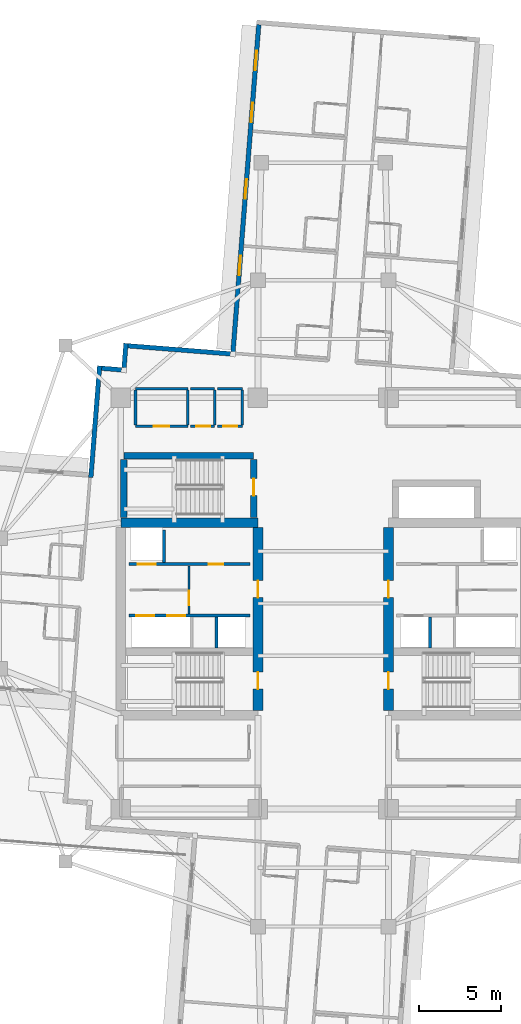
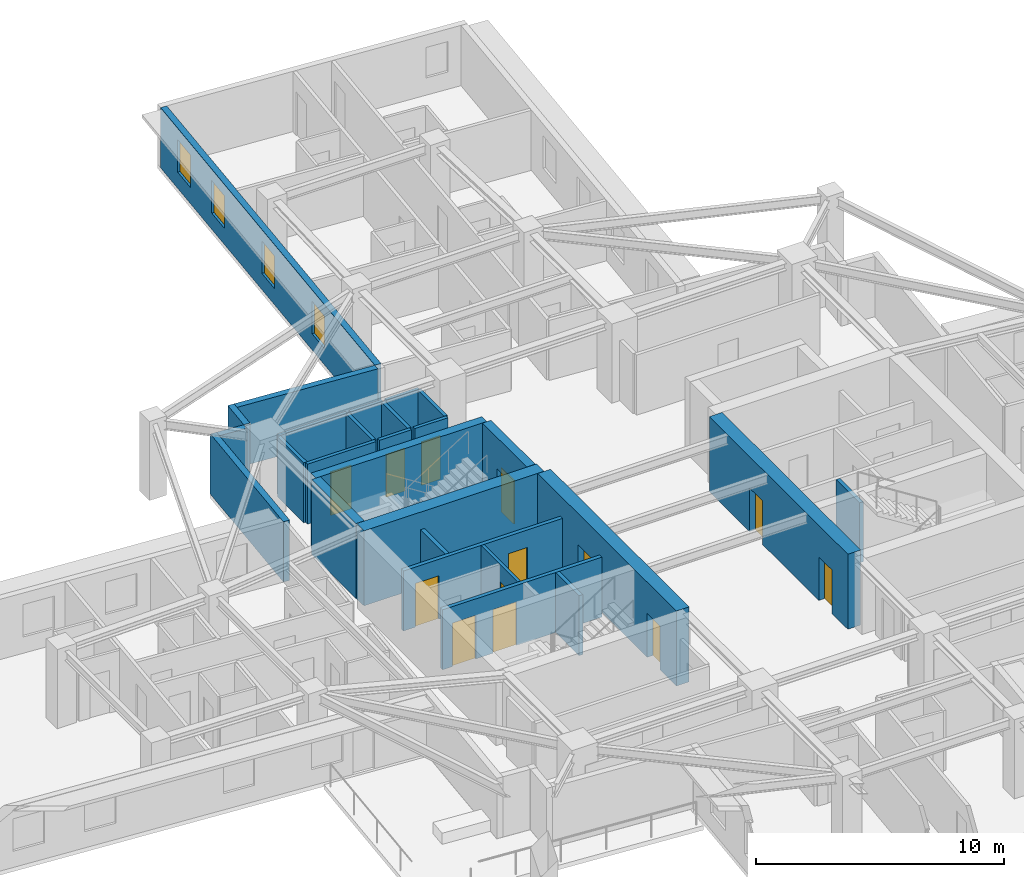
# One storey, part 6 of 14: 27 walls, 13 doors, 4 windows, 17 openings.
"""IFC4 building model written with IfcOpenShell, lengths in metres."""

from ifc_helpers import new_model, si_unit, direction, frame, frame_2d, origin, place, context, subcontext, project, spatial, rectangle, extrude, material, layer, layer_set, type_object, element, fill, save


model = new_model("IFC4")

# Units and contexts
model_context = context("Model", 3, precision=1e-05, world=origin(), true_north=direction((0.0, 1.0)))
body_context = subcontext(model_context, "Body", "Model", "MODEL_VIEW")
ifc_project = project(units=[si_unit("LENGTHUNIT", "METRE"), si_unit("AREAUNIT", "SQUARE_METRE"), si_unit("VOLUMEUNIT", "CUBIC_METRE"), si_unit("PLANEANGLEUNIT", "RADIAN"), si_unit("MASSUNIT", "GRAM", prefix="KILO")], contexts=[model_context])

# Site, building, storey
site_placement = place(None, origin())
site = spatial("IfcSite", under=ifc_project, at=site_placement, CompositionType="ELEMENT")
building_placement = place(site_placement, origin())
building = spatial("IfcBuilding", under=site, at=building_placement, Name="Qingluan Cross Belvedere", CompositionType="ELEMENT")
storey_placement = place(building_placement, frame((0.0, 0.0, 164.39990234375)))
storey = spatial("IfcBuildingStorey", under=building, at=storey_placement, Name="L41", CompositionType="ELEMENT", Elevation=164.39990234375)

# Walls
ifc_material_1 = material(Name="Concrete C50", Category="concrete")
ifc_layer_1 = layer(ifc_material_1, 0.449951171875, Name="CoreShearWall_450")
ifc_layer_set_1 = layer_set([ifc_layer_1], Name="Concrete C50")
wall_type_1 = type_object("IfcWallType", Name="CoreShearWall_450", PredefinedType="SHEAR", material=ifc_layer_set_1)
wall_1_placement = place(storey_placement, frame((-12.219970703125, 9.0400390625, 0.0), z_axis=(0.0, 0.0, 1.0), x_axis=(1.0, 0.0, 0.0)))
element("IfcWall", 1, at=wall_1_placement, inside=storey, type_object=wall_type_1, Name="Stair ST3 structural wall N L41", PredefinedType="SHEAR", context=body_context, shape_type="SweptSolid", body=[
    extrude(rectangle(XDim=7.9599609375, YDim=0.39990234375, at=frame_2d((3.97998046875, 0.0))), origin(), (0.0, 0.0, 1.0), 3.7001953125),
])
wall_2_placement = place(storey_placement, frame((-12.219970703125, 5.2548828125, 0.0), z_axis=(0.0, 0.0, 1.0), x_axis=(0.0, 1.0, 0.0)))
element("IfcWall", 2, at=wall_2_placement, inside=storey, type_object=wall_type_1, Name="Stair ST3 structural wall W L41", PredefinedType="SHEAR", context=body_context, shape_type="SweptSolid", body=[
    extrude(rectangle(XDim=3.580078125, YDim=0.39990234375, at=frame_2d((1.7900390625, 0.0))), origin(), (0.0, 0.0, 1.0), 3.7001953125),
])

# Wall, opening, door
wall_3_placement = place(storey_placement, frame((-4.260009765625, 5.2548828125, 0.0), z_axis=(0.0, 0.0, 1.0), x_axis=(0.0, 1.0, 0.0)))
wall_3 = element("IfcWall", 3, at=wall_3_placement, inside=storey, type_object=wall_type_1, Name="Stair ST3 structural wall E L41", PredefinedType="SHEAR", context=body_context, shape_type="SweptSolid", body=[
    extrude(rectangle(XDim=3.580078125, YDim=0.39990234375, at=frame_2d((1.7900390625, 0.0))), origin(), (0.0, 0.0, 1.0), 3.7001953125),
])
opening_1_placement = place(wall_3_placement, frame((1.344970703125, 0.0, 0.0)))
opening_1 = element("IfcOpeningElement", 4, at=opening_1_placement, cuts=wall_3, Name="Opening FD-B11", PredefinedType="OPENING", context=body_context, shape_type="SweptSolid", body=[
    extrude(rectangle(XDim=1.050048828125, YDim=2.14990234375, at=frame_2d((0.52490234375, 1.074951171875))), frame((0.0, 0.2099609375, 0.0), z_axis=(0.0, -1.0, 0.0), x_axis=(1.0, 0.0, 0.0)), (0.0, 0.0, 1.0), 0.419921875),
])
ifc_material_2 = material(Name="Steel Class B smoke-seal fire door", Category="steel")
door_type_1 = type_object("IfcDoorType", Name="StairLobbyFireDoor_FDB", OperationType="NOTDEFINED", PredefinedType="DOOR", material=ifc_material_2)
door_1_placement = place(opening_1_placement, origin())
door_1 = element("IfcDoor", 5, at=door_1_placement, inside=storey, type_object=door_type_1, Name="Smoke-proof stair ST3 fire door L41", OperationType="SINGLE_SWING_LEFT", OverallHeight=2.14990234375, OverallWidth=1.050048828125, PredefinedType="DOOR", context=body_context, shape_type="SweptSolid", body=[
    extrude(rectangle(XDim=1.050048828125, YDim=2.14990234375, at=frame_2d((0.52490234375, 1.074951171875))), frame((0.0, 0.02490234375, 0.0), z_axis=(0.0, -1.0, 0.0), x_axis=(1.0, 0.0, 0.0)), (0.0, 0.0, 1.0), 0.050048828125),
])
fill(opening_1, door_1)

# Wall
ifc_material_3 = material(Name="Concrete C60", Category="concrete")
ifc_layer_2 = layer(ifc_material_3, 0.60009765625, Name="CoreShearWall_600")
ifc_layer_set_2 = layer_set([ifc_layer_2], Name="Concrete C60")
wall_type_2 = type_object("IfcWallType", Name="CoreShearWall_600", PredefinedType="SHEAR", material=ifc_layer_set_2)
wall_4_placement = place(storey_placement, frame((-12.39990234375, 4.949951171875, 0.0), z_axis=(0.0, 0.0, 1.0), x_axis=(1.0, 0.0, 0.0)))
element("IfcWall", 6, at=wall_4_placement, inside=storey, type_object=wall_type_2, Name="Split core W shear wall L41-N", PredefinedType="SHEAR", context=body_context, shape_type="SweptSolid", body=[
    extrude(rectangle(XDim=8.39990234375, YDim=0.60009765625, at=frame_2d((4.199951171875, 0.0))), origin(), (0.0, 0.0, 1.0), 3.7001953125),
])

# Wall, openings, doors
wall_5_placement = place(storey_placement, frame((-4.0, -6.544921875, 0.0), z_axis=(0.0, 0.0, 1.0), x_axis=(0.0, 1.0, 0.0)))
wall_5 = element("IfcWall", 7, at=wall_5_placement, inside=storey, type_object=wall_type_2, Name="Split core W shear wall L41-E", PredefinedType="SHEAR", context=body_context, shape_type="SweptSolid", body=[
    extrude(rectangle(XDim=11.18994140625, YDim=0.60009765625, at=frame_2d((5.594970703125, 0.0))), origin(), (0.0, 0.0, 1.0), 3.7001953125),
])
opening_2_placement = place(wall_5_placement, frame((1.294921875, 0.0, 0.0)))
opening_2 = element("IfcOpeningElement", 8, at=opening_2_placement, cuts=wall_5, Name="Opening FD-B11", PredefinedType="OPENING", context=body_context, shape_type="SweptSolid", body=[
    extrude(rectangle(XDim=1.050048828125, YDim=2.14990234375, at=frame_2d((0.52490234375, 1.074951171875))), frame((0.0, 0.31005859375, 0.0), z_axis=(0.0, -1.0, 0.0), x_axis=(1.0, 0.0, 0.0)), (0.0, 0.0, 1.0), 0.6201171875),
])
opening_3_placement = place(wall_5_placement, frame((6.89501953125, 0.0, 0.0)))
opening_3 = element("IfcOpeningElement", 9, at=opening_3_placement, cuts=wall_5, Name="Opening FD-B11", PredefinedType="OPENING", context=body_context, shape_type="SweptSolid", body=[
    extrude(rectangle(XDim=1.050048828125, YDim=2.14990234375, at=frame_2d((0.52490234375, 1.074951171875))), frame((0.0, 0.31005859375, 0.0), z_axis=(0.0, -1.0, 0.0), x_axis=(1.0, 0.0, 0.0)), (0.0, 0.0, 1.0), 0.6201171875),
])
door_2_placement = place(opening_2_placement, origin())
door_2 = element("IfcDoor", 10, at=door_2_placement, inside=storey, type_object=door_type_1, Name="Smoke-proof stair ST1 fire door L41", OperationType="SINGLE_SWING_LEFT", OverallHeight=2.14990234375, OverallWidth=1.050048828125, PredefinedType="DOOR", context=body_context, shape_type="SweptSolid", body=[
    extrude(rectangle(XDim=1.050048828125, YDim=2.14990234375, at=frame_2d((0.52490234375, 1.074951171875))), frame((0.0, 0.02490234375, 0.0), z_axis=(0.0, -1.0, 0.0), x_axis=(1.0, 0.0, 0.0)), (0.0, 0.0, 1.0), 0.050048828125),
])
fill(opening_2, door_2)
door_3_placement = place(opening_3_placement, origin())
door_3 = element("IfcDoor", 11, at=door_3_placement, inside=storey, type_object=door_type_1, Name="Firefighting lobby West fire door L41", OperationType="SINGLE_SWING_LEFT", OverallHeight=2.14990234375, OverallWidth=1.050048828125, PredefinedType="DOOR", context=body_context, shape_type="SweptSolid", body=[
    extrude(rectangle(XDim=1.050048828125, YDim=2.14990234375, at=frame_2d((0.52490234375, 1.074951171875))), frame((0.0, 0.02490234375, 0.0), z_axis=(0.0, -1.0, 0.0), x_axis=(1.0, 0.0, 0.0)), (0.0, 0.0, 1.0), 0.050048828125),
])
fill(opening_3, door_3)

wall_6_placement = place(storey_placement, frame((4.0, -6.544921875, 0.0), z_axis=(0.0, 0.0, 1.0), x_axis=(0.0, 1.0, 0.0)))
wall_6 = element("IfcWall", 12, at=wall_6_placement, inside=storey, type_object=wall_type_2, Name="Split core E shear wall L41-W", PredefinedType="SHEAR", context=body_context, shape_type="SweptSolid", body=[
    extrude(rectangle(XDim=11.18994140625, YDim=0.60009765625, at=frame_2d((5.594970703125, 0.0))), origin(), (0.0, 0.0, 1.0), 3.7001953125),
])
opening_4_placement = place(wall_6_placement, frame((1.294921875, 0.0, 0.0)))
opening_4 = element("IfcOpeningElement", 13, at=opening_4_placement, cuts=wall_6, Name="Opening FD-B11", PredefinedType="OPENING", context=body_context, shape_type="SweptSolid", body=[
    extrude(rectangle(XDim=1.050048828125, YDim=2.14990234375, at=frame_2d((0.52490234375, 1.074951171875))), frame((0.0, 0.31005859375, 0.0), z_axis=(0.0, -1.0, 0.0), x_axis=(1.0, 0.0, 0.0)), (0.0, 0.0, 1.0), 0.6201171875),
])
opening_5_placement = place(wall_6_placement, frame((6.89501953125, 0.0, 0.0)))
opening_5 = element("IfcOpeningElement", 14, at=opening_5_placement, cuts=wall_6, Name="Opening FD-B11", PredefinedType="OPENING", context=body_context, shape_type="SweptSolid", body=[
    extrude(rectangle(XDim=1.050048828125, YDim=2.14990234375, at=frame_2d((0.52490234375, 1.074951171875))), frame((0.0, 0.31005859375, 0.0), z_axis=(0.0, -1.0, 0.0), x_axis=(1.0, 0.0, 0.0)), (0.0, 0.0, 1.0), 0.6201171875),
])
door_4_placement = place(opening_4_placement, origin())
door_4 = element("IfcDoor", 15, at=door_4_placement, inside=storey, type_object=door_type_1, Name="Smoke-proof stair ST2 fire door L41", OperationType="SINGLE_SWING_RIGHT", OverallHeight=2.14990234375, OverallWidth=1.050048828125, PredefinedType="DOOR", context=body_context, shape_type="SweptSolid", body=[
    extrude(rectangle(XDim=1.050048828125, YDim=2.14990234375, at=frame_2d((0.52490234375, 1.074951171875))), frame((0.0, 0.02490234375, 0.0), z_axis=(0.0, -1.0, 0.0), x_axis=(1.0, 0.0, 0.0)), (0.0, 0.0, 1.0), 0.050048828125),
])
fill(opening_4, door_4)
door_5_placement = place(opening_5_placement, origin())
door_5 = element("IfcDoor", 16, at=door_5_placement, inside=storey, type_object=door_type_1, Name="Firefighting lobby East fire door L41", OperationType="SINGLE_SWING_RIGHT", OverallHeight=2.14990234375, OverallWidth=1.050048828125, PredefinedType="DOOR", context=body_context, shape_type="SweptSolid", body=[
    extrude(rectangle(XDim=1.050048828125, YDim=2.14990234375, at=frame_2d((0.52490234375, 1.074951171875))), frame((0.0, 0.02490234375, 0.0), z_axis=(0.0, -1.0, 0.0), x_axis=(1.0, 0.0, 0.0)), (0.0, 0.0, 1.0), 0.050048828125),
])
fill(opening_5, door_5)

# Wall, opening, door
ifc_material_4 = material(Name="Gypsum plasterboard on steel stud acoustic partition", Category="steel")
ifc_layer_3 = layer(ifc_material_4, 0.159912109375, Name="CorridorPartition_160")
ifc_layer_set_3 = layer_set([ifc_layer_3], Name="Gypsum plasterboard on steel stud acoustic partition")
wall_type_3 = type_object("IfcWallType", Name="CorridorPartition_160", PredefinedType="PARTITIONING", material=ifc_layer_set_3)
wall_7_placement = place(storey_placement, frame((-11.5, 10.85009765625, 0.0), z_axis=(0.0, 0.0, 1.0), x_axis=(1.0, 0.0, 0.0)))
wall_7 = element("IfcWall", 17, at=wall_7_placement, inside=storey, type_object=wall_type_3, Name="Partition L41:q_nw_occ:S", PredefinedType="PARTITIONING", context=body_context, shape_type="SweptSolid", body=[
    extrude(rectangle(XDim=3.199951171875, YDim=0.159912109375, at=frame_2d((1.60009765625, 0.0))), origin(), (0.0, 0.0, 1.0), 2.960205078125),
])
opening_6_placement = place(wall_7_placement, frame((1.1201171875, 0.0, 0.0)))
opening_6 = element("IfcOpeningElement", 18, at=opening_6_placement, cuts=wall_7, Name="Opening GD-10", PredefinedType="OPENING", context=body_context, shape_type="SweptSolid", body=[
    extrude(rectangle(XDim=0.9599609375, YDim=2.14990234375, at=frame_2d((0.47998046875, 1.074951171875))), frame((0.0, 0.08984375, 0.0), z_axis=(0.0, -1.0, 0.0), x_axis=(1.0, 0.0, 0.0)), (0.0, 0.0, 1.0), 0.179931640625),
])
ifc_material_5 = material(Name="Timber oak fire-rated acoustic guestroom door", Category="wood")
door_type_2 = type_object("IfcDoorType", Name="GuestEntryDoor_FD60", OperationType="NOTDEFINED", PredefinedType="DOOR", material=ifc_material_5)
door_6_placement = place(opening_6_placement, origin())
door_6 = element("IfcDoor", 19, at=door_6_placement, inside=storey, type_object=door_type_2, Name="Northwest corner reading salon L41 door", OperationType="SINGLE_SWING_RIGHT", OverallHeight=2.14990234375, OverallWidth=0.9599609375, PredefinedType="DOOR", context=body_context, shape_type="SweptSolid", body=[
    extrude(rectangle(XDim=0.9599609375, YDim=2.14990234375, at=frame_2d((0.47998046875, 1.074951171875))), frame((0.0, 0.02490234375, 0.0), z_axis=(0.0, -1.0, 0.0), x_axis=(1.0, 0.0, 0.0)), (0.0, 0.0, 1.0), 0.050048828125),
])
fill(opening_6, door_6)

# Walls
wall_8_placement = place(storey_placement, frame((-11.5, 13.14990234375, 0.0), z_axis=(0.0, 0.0, 1.0), x_axis=(1.0, 0.0, 0.0)))
element("IfcWall", 20, at=wall_8_placement, inside=storey, type_object=wall_type_3, Name="Partition L41:q_nw_occ:N", PredefinedType="PARTITIONING", context=body_context, shape_type="SweptSolid", body=[
    extrude(rectangle(XDim=3.199951171875, YDim=0.159912109375, at=frame_2d((1.60009765625, 0.0))), origin(), (0.0, 0.0, 1.0), 2.960205078125),
])
for number, where, z_axis, x_axis, name in (
    (21, (-11.5, 10.93505859375, 0.0), (0.0, 0.0, 1.0), (0.0, 1.0, 0.0), "Partition L41:q_nw_occ:W"),
    (22, (-8.300048828125, 10.93505859375, 0.0), (0.0, 0.0, 1.0), (0.0, 1.0, 0.0), "Partition L41:q_nw_occ:E"),
):
    element("IfcWall", number, at=place(storey_placement, frame(where, z_axis=z_axis, x_axis=x_axis)), inside=storey, type_object=wall_type_3, Name=name, PredefinedType="PARTITIONING", context=body_context, shape_type="SweptSolid", body=[
        extrude(rectangle(XDim=2.1298828125, YDim=0.159912109375, at=frame_2d((1.06494140625, 0.0))), origin(), (0.0, 0.0, 1.0), 2.960205078125),
    ])

# Wall, opening, door
wall_9_placement = place(storey_placement, frame((-8.139892578125, 10.85009765625, 0.0), z_axis=(0.0, 0.0, 1.0), x_axis=(1.0, 0.0, 0.0)))
wall_9 = element("IfcWall", 23, at=wall_9_placement, inside=storey, type_object=wall_type_3, Name="Partition L41:hk_linen:S", PredefinedType="PARTITIONING", context=body_context, shape_type="SweptSolid", body=[
    extrude(rectangle(XDim=1.489990234375, YDim=0.159912109375, at=frame_2d((0.7451171875, 0.0))), origin(), (0.0, 0.0, 1.0), 2.960205078125),
])
opening_7_placement = place(wall_9_placement, frame((0.35009765625, 0.0, 0.0)))
opening_7 = element("IfcOpeningElement", 24, at=opening_7_placement, cuts=wall_9, Name="Opening FD-B10", PredefinedType="OPENING", context=body_context, shape_type="SweptSolid", body=[
    extrude(rectangle(XDim=0.8798828125, YDim=2.10009765625, at=frame_2d((0.43994140625, 1.050048828125))), frame((0.0, 0.08984375, 0.0), z_axis=(0.0, -1.0, 0.0), x_axis=(1.0, 0.0, 0.0)), (0.0, 0.0, 1.0), 0.179931640625),
])
ifc_material_6 = material(Name="Steel Class B service fire door", Category="steel")
door_type_3 = type_object("IfcDoorType", Name="RiserServiceFireDoor_FDB", OperationType="NOTDEFINED", PredefinedType="DOOR", material=ifc_material_6)
door_7_placement = place(opening_7_placement, origin())
door_7 = element("IfcDoor", 25, at=door_7_placement, inside=storey, type_object=door_type_3, Name="Housekeeping and linen store L41 door", OperationType="SINGLE_SWING_LEFT", OverallHeight=2.10009765625, OverallWidth=0.8798828125, PredefinedType="DOOR", context=body_context, shape_type="SweptSolid", body=[
    extrude(rectangle(XDim=0.8798828125, YDim=2.10009765625, at=frame_2d((0.43994140625, 1.050048828125))), frame((0.0, 0.02490234375, 0.0), z_axis=(0.0, -1.0, 0.0), x_axis=(1.0, 0.0, 0.0)), (0.0, 0.0, 1.0), 0.050048828125),
])
fill(opening_7, door_7)

# Walls
wall_10_placement = place(storey_placement, frame((-8.139892578125, 13.14990234375, 0.0), z_axis=(0.0, 0.0, 1.0), x_axis=(1.0, 0.0, 0.0)))
element("IfcWall", 26, at=wall_10_placement, inside=storey, type_object=wall_type_3, Name="Partition L41:hk_linen:N", PredefinedType="PARTITIONING", context=body_context, shape_type="SweptSolid", body=[
    extrude(rectangle(XDim=1.489990234375, YDim=0.159912109375, at=frame_2d((0.7451171875, 0.0))), origin(), (0.0, 0.0, 1.0), 2.960205078125),
])
wall_11_placement = place(storey_placement, frame((-6.64990234375, 10.93505859375, 0.0), z_axis=(0.0, 0.0, 1.0), x_axis=(0.0, 1.0, 0.0)))
element("IfcWall", 27, at=wall_11_placement, inside=storey, type_object=wall_type_3, Name="Partition L41:hk_linen:E", PredefinedType="PARTITIONING", context=body_context, shape_type="SweptSolid", body=[
    extrude(rectangle(XDim=2.1298828125, YDim=0.159912109375, at=frame_2d((1.06494140625, 0.0))), origin(), (0.0, 0.0, 1.0), 2.960205078125),
])

# Wall, opening, door
wall_12_placement = place(storey_placement, frame((-6.489990234375, 10.85009765625, 0.0), z_axis=(0.0, 0.0, 1.0), x_axis=(1.0, 0.0, 0.0)))
wall_12 = element("IfcWall", 28, at=wall_12_placement, inside=storey, type_object=wall_type_3, Name="Partition L41:floor_acc_wc:S", PredefinedType="PARTITIONING", context=body_context, shape_type="SweptSolid", body=[
    extrude(rectangle(XDim=1.5400390625, YDim=0.159912109375, at=frame_2d((0.77001953125, 0.0))), origin(), (0.0, 0.0, 1.0), 2.960205078125),
])
opening_8_placement = place(wall_12_placement, frame((0.35009765625, 0.0, 0.0)))
opening_8 = element("IfcOpeningElement", 29, at=opening_8_placement, cuts=wall_12, Name="Opening BD-08", PredefinedType="OPENING", context=body_context, shape_type="SweptSolid", body=[
    extrude(rectangle(XDim=0.8798828125, YDim=2.14990234375, at=frame_2d((0.43994140625, 1.074951171875))), frame((0.0, 0.08984375, 0.0), z_axis=(0.0, -1.0, 0.0), x_axis=(1.0, 0.0, 0.0)), (0.0, 0.0, 1.0), 0.179931640625),
])
ifc_material_7 = material(Name="Moisture-sealed timber accessible WC door", Category="wood")
door_type_4 = type_object("IfcDoorType", Name="AccessibleWCDoor_880", OperationType="NOTDEFINED", PredefinedType="DOOR", material=ifc_material_7)
door_8_placement = place(opening_8_placement, origin())
door_8 = element("IfcDoor", 30, at=door_8_placement, inside=storey, type_object=door_type_4, Name="Accessible guest washroom L41 door", OperationType="SINGLE_SWING_RIGHT", OverallHeight=2.14990234375, OverallWidth=0.8798828125, PredefinedType="DOOR", context=body_context, shape_type="SweptSolid", body=[
    extrude(rectangle(XDim=0.8798828125, YDim=2.14990234375, at=frame_2d((0.43994140625, 1.074951171875))), frame((0.0, 0.02490234375, 0.0), z_axis=(0.0, -1.0, 0.0), x_axis=(1.0, 0.0, 0.0)), (0.0, 0.0, 1.0), 0.050048828125),
])
fill(opening_8, door_8)

# Walls
wall_13_placement = place(storey_placement, frame((-6.489990234375, 13.14990234375, 0.0), z_axis=(0.0, 0.0, 1.0), x_axis=(1.0, 0.0, 0.0)))
element("IfcWall", 31, at=wall_13_placement, inside=storey, type_object=wall_type_3, Name="Partition L41:floor_acc_wc:N", PredefinedType="PARTITIONING", context=body_context, shape_type="SweptSolid", body=[
    extrude(rectangle(XDim=1.5400390625, YDim=0.159912109375, at=frame_2d((0.77001953125, 0.0))), origin(), (0.0, 0.0, 1.0), 2.960205078125),
])
wall_14_placement = place(storey_placement, frame((-4.949951171875, 10.93505859375, 0.0), z_axis=(0.0, 0.0, 1.0), x_axis=(0.0, 1.0, 0.0)))
element("IfcWall", 32, at=wall_14_placement, inside=storey, type_object=wall_type_3, Name="Partition L41:floor_acc_wc:E", PredefinedType="PARTITIONING", context=body_context, shape_type="SweptSolid", body=[
    extrude(rectangle(XDim=2.1298828125, YDim=0.159912109375, at=frame_2d((1.06494140625, 0.0))), origin(), (0.0, 0.0, 1.0), 2.960205078125),
])

# Wall, openings, windows
ifc_material_8 = material(Name="Precast concrete C45", Category="concrete")
ifc_layer_4 = layer(ifc_material_8, 0.280029296875, Name="PrecastFacadeWall_280")
ifc_layer_set_4 = layer_set([ifc_layer_4], Name="Precast concrete C45")
wall_type_4 = type_object("IfcWallType", Name="PrecastFacadeWall_280", PredefinedType="STANDARD", material=ifc_layer_set_4)
wall_15_placement = place(storey_placement, frame((-3.9501953125, 35.459228515625, 0.0), z_axis=(0.0, 0.0, 1.0), x_axis=(-0.078452802979, -0.996917828963, 0.0)))
wall_15 = element("IfcWall", 33, at=wall_15_placement, inside=storey, type_object=wall_type_4, Name="Facade wall L41-NB", PredefinedType="STANDARD", context=body_context, shape_type="SweptSolid", body=[
    extrude(rectangle(XDim=20.10009765625, YDim=0.280029296875, at=frame_2d((10.050048828125, 0.0))), origin(), (0.0, 0.0, 1.0), 2.97021484375),
])
opening_9_placement = place(wall_15_placement, frame((1.60009765625, 0.0, 0.800048828125)))
opening_9 = element("IfcOpeningElement", 34, at=opening_9_placement, cuts=wall_15, Name="Opening W-02", PredefinedType="OPENING", context=body_context, shape_type="SweptSolid", body=[
    extrude(rectangle(XDim=1.199951171875, YDim=1.60009765625, at=frame_2d((0.60009765625, 0.800048828125))), frame((0.0, 0.14990234375, 0.0), z_axis=(0.0, -1.0, 0.0), x_axis=(1.0, 0.0, 0.0)), (0.0, 0.0, 1.0), 0.300048828125),
])
opening_10_placement = place(wall_15_placement, frame((4.800048828125, 0.0, 0.800048828125)))
opening_10 = element("IfcOpeningElement", 35, at=opening_10_placement, cuts=wall_15, Name="Opening W-02", PredefinedType="OPENING", context=body_context, shape_type="SweptSolid", body=[
    extrude(rectangle(XDim=1.199951171875, YDim=1.60009765625, at=frame_2d((0.60009765625, 0.800048828125))), frame((0.0, 0.14990234375, 0.0), z_axis=(0.0, -1.0, 0.0), x_axis=(1.0, 0.0, 0.0)), (0.0, 0.0, 1.0), 0.300048828125),
])
opening_11_placement = place(wall_15_placement, frame((9.5, 0.0, 0.800048828125)))
opening_11 = element("IfcOpeningElement", 36, at=opening_11_placement, cuts=wall_15, Name="Opening W-02", PredefinedType="OPENING", context=body_context, shape_type="SweptSolid", body=[
    extrude(rectangle(XDim=1.199951171875, YDim=1.60009765625, at=frame_2d((0.60009765625, 0.800048828125))), frame((0.0, 0.14990234375, 0.0), z_axis=(0.0, -1.0, 0.0), x_axis=(1.0, 0.0, 0.0)), (0.0, 0.0, 1.0), 0.300048828125),
])
opening_12_placement = place(wall_15_placement, frame((14.199951171875, 0.0, 0.800048828125)))
opening_12 = element("IfcOpeningElement", 37, at=opening_12_placement, cuts=wall_15, Name="Opening W-02", PredefinedType="OPENING", context=body_context, shape_type="SweptSolid", body=[
    extrude(rectangle(XDim=1.199951171875, YDim=1.60009765625, at=frame_2d((0.60009765625, 0.800048828125))), frame((0.0, 0.14990234375, 0.0), z_axis=(0.0, -1.0, 0.0), x_axis=(1.0, 0.0, 0.0)), (0.0, 0.0, 1.0), 0.300048828125),
])
ifc_material_9 = material(Name="Thermally broken triple Low-E glass in aluminium frame", Category="aluminium")
window_type = type_object("IfcWindowType", Name="TriRibbonWin_1200x1600", PartitioningType="SINGLE_PANEL", PredefinedType="WINDOW", material=ifc_material_9)
window_1_placement = place(opening_9_placement, origin())
window_1 = element("IfcWindow", 38, at=window_1_placement, inside=storey, type_object=window_type, Name="Ribbon window L41-NB-1", OverallHeight=1.60009765625, OverallWidth=1.199951171875, PartitioningType="SINGLE_PANEL", PredefinedType="WINDOW", context=body_context, shape_type="SweptSolid", body=[
    extrude(rectangle(XDim=1.199951171875, YDim=1.60009765625, at=frame_2d((0.60009765625, 0.800048828125))), frame((0.0, 0.030029296875, 0.0), z_axis=(0.0, -1.0, 0.0), x_axis=(1.0, 0.0, 0.0)), (0.0, 0.0, 1.0), 0.06005859375),
])
fill(opening_9, window_1)
window_2_placement = place(opening_10_placement, origin())
window_2 = element("IfcWindow", 39, at=window_2_placement, inside=storey, type_object=window_type, Name="Ribbon window L41-NB-2", OverallHeight=1.60009765625, OverallWidth=1.199951171875, PartitioningType="SINGLE_PANEL", PredefinedType="WINDOW", context=body_context, shape_type="SweptSolid", body=[
    extrude(rectangle(XDim=1.199951171875, YDim=1.60009765625, at=frame_2d((0.60009765625, 0.800048828125))), frame((0.0, 0.030029296875, 0.0), z_axis=(0.0, -1.0, 0.0), x_axis=(1.0, 0.0, 0.0)), (0.0, 0.0, 1.0), 0.06005859375),
])
fill(opening_10, window_2)
window_3_placement = place(opening_11_placement, origin())
window_3 = element("IfcWindow", 40, at=window_3_placement, inside=storey, type_object=window_type, Name="Ribbon window L41-NB-3", OverallHeight=1.60009765625, OverallWidth=1.199951171875, PartitioningType="SINGLE_PANEL", PredefinedType="WINDOW", context=body_context, shape_type="SweptSolid", body=[
    extrude(rectangle(XDim=1.199951171875, YDim=1.60009765625, at=frame_2d((0.60009765625, 0.800048828125))), frame((0.0, 0.030029296875, 0.0), z_axis=(0.0, -1.0, 0.0), x_axis=(1.0, 0.0, 0.0)), (0.0, 0.0, 1.0), 0.06005859375),
])
fill(opening_11, window_3)
window_4_placement = place(opening_12_placement, origin())
window_4 = element("IfcWindow", 41, at=window_4_placement, inside=storey, type_object=window_type, Name="Ribbon window L41-NB-4", OverallHeight=1.60009765625, OverallWidth=1.199951171875, PartitioningType="SINGLE_PANEL", PredefinedType="WINDOW", context=body_context, shape_type="SweptSolid", body=[
    extrude(rectangle(XDim=1.199951171875, YDim=1.60009765625, at=frame_2d((0.60009765625, 0.800048828125))), frame((0.0, 0.030029296875, 0.0), z_axis=(0.0, -1.0, 0.0), x_axis=(1.0, 0.0, 0.0)), (0.0, 0.0, 1.0), 0.06005859375),
])
fill(opening_12, window_4)

# Walls
wall_16_placement = place(storey_placement, frame((-14.238037109375, 7.720947265625, 0.0), z_axis=(0.0, 0.0, 1.0), x_axis=(0.078438149236, 0.996918982036, 0.0)))
element("IfcWall", 42, at=wall_16_placement, inside=storey, type_object=wall_type_4, Name="Corner wall L41-NW1", PredefinedType="STANDARD", context=body_context, shape_type="SweptSolid", body=[
    extrude(rectangle(XDim=6.860107421875, YDim=0.280029296875, at=frame_2d((3.43017578125, 0.0))), origin(), (0.0, 0.0, 1.0), 2.97021484375),
])
wall_17_placement = place(storey_placement, frame((-13.5712890625, 14.4091796875, 0.0), z_axis=(0.0, 0.0, 1.0), x_axis=(0.996918772, -0.078440818672, 0.0)))
element("IfcWall", 43, at=wall_17_placement, inside=storey, type_object=wall_type_4, Name="Corner wall L41-NW2", PredefinedType="STANDARD", context=body_context, shape_type="SweptSolid", body=[
    extrude(rectangle(XDim=1.219970703125, YDim=0.280029296875, at=frame_2d((0.60986328125, 0.0))), origin(), (0.0, 0.0, 1.0), 2.97021484375),
])
wall_18_placement = place(storey_placement, frame((-12.20458984375, 14.442138671875, 0.0), z_axis=(0.0, 0.0, 1.0), x_axis=(0.078451338629, 0.9969179442, 0.0)))
element("IfcWall", 44, at=wall_18_placement, inside=storey, type_object=wall_type_4, Name="Corner wall L41-NW3", PredefinedType="STANDARD", context=body_context, shape_type="SweptSolid", body=[
    extrude(rectangle(XDim=1.5, YDim=0.280029296875, at=frame_2d((0.75, 0.0))), origin(), (0.0, 0.0, 1.0), 2.97021484375),
])
wall_19_placement = place(storey_placement, frame((-11.958251953125, 15.786865234375, 0.0), z_axis=(0.0, 0.0, 1.0), x_axis=(0.996916125428, -0.078474447191, 0.0)))
element("IfcWall", 45, at=wall_19_placement, inside=storey, type_object=wall_type_4, Name="Corner wall L41-NW4", PredefinedType="STANDARD", context=body_context, shape_type="SweptSolid", body=[
    extrude(rectangle(XDim=6.300048828125, YDim=0.280029296875, at=frame_2d((3.14990234375, 0.0))), origin(), (0.0, 0.0, 1.0), 2.97021484375),
])

# Wall, openings, doors
ifc_material_10 = material(Name="Concrete C40", Category="concrete")
ifc_layer_5 = layer(ifc_material_10, 0.219970703125, Name="ShaftEnclosureWall_250")
ifc_layer_set_5 = layer_set([ifc_layer_5], Name="Concrete C40")
wall_type_5 = type_object("IfcWallType", Name="ShaftEnclosureWall_250", PredefinedType="SOLIDWALL", material=ifc_layer_set_5)
wall_20_placement = place(storey_placement, frame((-11.89990234375, 2.409912109375, 0.0), z_axis=(0.0, 0.0, 1.0), x_axis=(1.0, 0.0, 0.0)))
wall_20 = element("IfcWall", 46, at=wall_20_placement, inside=storey, type_object=wall_type_5, Name="Core-W north hoistway wall L41", PredefinedType="SOLIDWALL", context=body_context, shape_type="SweptSolid", body=[
    extrude(rectangle(XDim=7.419921875, YDim=0.179931640625, at=frame_2d((3.7099609375, 0.0))), origin(), (0.0, 0.0, 1.0), 2.960205078125),
])
opening_13_placement = place(wall_20_placement, frame((0.550048828125, 0.0, 0.0)))
opening_13 = element("IfcOpeningElement", 47, at=opening_13_placement, cuts=wall_20, Name="Opening LD-11", PredefinedType="OPENING", context=body_context, shape_type="SweptSolid", body=[
    extrude(rectangle(XDim=1.10009765625, YDim=2.14990234375, at=frame_2d((0.550048828125, 1.074951171875))), frame((0.0, 0.099853515625, 0.0), z_axis=(0.0, -1.0, 0.0), x_axis=(1.0, 0.0, 0.0)), (0.0, 0.0, 1.0), 0.199951171875),
])
opening_14_placement = place(wall_20_placement, frame((4.89990234375, 0.0, 0.0)))
opening_14 = element("IfcOpeningElement", 48, at=opening_14_placement, cuts=wall_20, Name="Opening FD-B10", PredefinedType="OPENING", context=body_context, shape_type="SweptSolid", body=[
    extrude(rectangle(XDim=0.8798828125, YDim=2.10009765625, at=frame_2d((0.43994140625, 1.050048828125))), frame((0.0, 0.099853515625, 0.0), z_axis=(0.0, -1.0, 0.0), x_axis=(1.0, 0.0, 0.0)), (0.0, 0.0, 1.0), 0.199951171875),
])
ifc_material_11 = material(Name="Brushed stainless steel centre-opening lift landing door", Category="steel")
door_type_5 = type_object("IfcDoorType", Name="LiftLandingSlidingDoor_1100", OperationType="DOUBLE_DOOR_SLIDING", PredefinedType="DOOR", material=ifc_material_11)
door_9_placement = place(opening_13_placement, origin())
door_9 = element("IfcDoor", 49, at=door_9_placement, inside=storey, type_object=door_type_5, Name="Lift landing sliding door FL1 L41", OperationType="DOUBLE_DOOR_SLIDING", OverallHeight=2.14990234375, OverallWidth=1.10009765625, PredefinedType="DOOR", context=body_context, shape_type="SweptSolid", body=[
    extrude(rectangle(XDim=1.10009765625, YDim=2.14990234375, at=frame_2d((0.550048828125, 1.074951171875))), frame((0.0, 0.02490234375, 0.0), z_axis=(0.0, -1.0, 0.0), x_axis=(1.0, 0.0, 0.0)), (0.0, 0.0, 1.0), 0.050048828125),
])
fill(opening_13, door_9)
door_10_placement = place(opening_14_placement, origin())
door_10 = element("IfcDoor", 50, at=door_10_placement, inside=storey, type_object=door_type_3, Name="Housekeeping supply room door W L41", OperationType="SINGLE_SWING_RIGHT", OverallHeight=2.10009765625, OverallWidth=0.8798828125, PredefinedType="DOOR", context=body_context, shape_type="SweptSolid", body=[
    extrude(rectangle(XDim=0.8798828125, YDim=2.10009765625, at=frame_2d((0.43994140625, 1.050048828125))), frame((0.0, 0.02490234375, 0.0), z_axis=(0.0, -1.0, 0.0), x_axis=(1.0, 0.0, 0.0)), (0.0, 0.0, 1.0), 0.050048828125),
])
fill(opening_14, door_10)

wall_21_placement = place(storey_placement, frame((-11.89990234375, -0.75, 0.0), z_axis=(0.0, 0.0, 1.0), x_axis=(1.0, 0.0, 0.0)))
wall_21 = element("IfcWall", 51, at=wall_21_placement, inside=storey, type_object=wall_type_5, Name="Core-W mid hoistway wall L41", PredefinedType="SOLIDWALL", context=body_context, shape_type="SweptSolid", body=[
    extrude(rectangle(XDim=7.419921875, YDim=0.179931640625, at=frame_2d((3.7099609375, 0.0))), origin(), (0.0, 0.0, 1.0), 2.960205078125),
])
opening_15_placement = place(wall_21_placement, frame((0.449951171875, 0.0, 0.0)))
opening_15 = element("IfcOpeningElement", 52, at=opening_15_placement, cuts=wall_21, Name="Opening LD-11", PredefinedType="OPENING", context=body_context, shape_type="SweptSolid", body=[
    extrude(rectangle(XDim=1.10009765625, YDim=2.14990234375, at=frame_2d((0.550048828125, 1.074951171875))), frame((0.0, 0.099853515625, 0.0), z_axis=(0.0, -1.0, 0.0), x_axis=(1.0, 0.0, 0.0)), (0.0, 0.0, 1.0), 0.199951171875),
])
opening_16_placement = place(wall_21_placement, frame((2.35009765625, 0.0, 0.0)))
opening_16 = element("IfcOpeningElement", 53, at=opening_16_placement, cuts=wall_21, Name="Opening LD-11", PredefinedType="OPENING", context=body_context, shape_type="SweptSolid", body=[
    extrude(rectangle(XDim=1.10009765625, YDim=2.14990234375, at=frame_2d((0.550048828125, 1.074951171875))), frame((0.0, 0.099853515625, 0.0), z_axis=(0.0, -1.0, 0.0), x_axis=(1.0, 0.0, 0.0)), (0.0, 0.0, 1.0), 0.199951171875),
])
door_11_placement = place(opening_15_placement, origin())
door_11 = element("IfcDoor", 54, at=door_11_placement, inside=storey, type_object=door_type_5, Name="Lift landing sliding door LP5 L41", OperationType="DOUBLE_DOOR_SLIDING", OverallHeight=2.14990234375, OverallWidth=1.10009765625, PredefinedType="DOOR", context=body_context, shape_type="SweptSolid", body=[
    extrude(rectangle(XDim=1.10009765625, YDim=2.14990234375, at=frame_2d((0.550048828125, 1.074951171875))), frame((0.0, 0.02490234375, 0.0), z_axis=(0.0, -1.0, 0.0), x_axis=(1.0, 0.0, 0.0)), (0.0, 0.0, 1.0), 0.050048828125),
])
fill(opening_15, door_11)
door_12_placement = place(opening_16_placement, origin())
door_12 = element("IfcDoor", 55, at=door_12_placement, inside=storey, type_object=door_type_5, Name="Lift landing sliding door LP6 L41", OperationType="DOUBLE_DOOR_SLIDING", OverallHeight=2.14990234375, OverallWidth=1.10009765625, PredefinedType="DOOR", context=body_context, shape_type="SweptSolid", body=[
    extrude(rectangle(XDim=1.10009765625, YDim=2.14990234375, at=frame_2d((0.550048828125, 1.074951171875))), frame((0.0, 0.02490234375, 0.0), z_axis=(0.0, -1.0, 0.0), x_axis=(1.0, 0.0, 0.0)), (0.0, 0.0, 1.0), 0.050048828125),
])
fill(opening_16, door_12)

# Walls
wall_22_placement = place(storey_placement, frame((-9.760009765625, 2.5, 0.0), z_axis=(0.0, 0.0, 1.0), x_axis=(0.0, 1.0, 0.0)))
element("IfcWall", 56, at=wall_22_placement, inside=storey, type_object=wall_type_5, Name="Hoistway enclosure divider FL1E L41", PredefinedType="SOLIDWALL", context=body_context, shape_type="SweptSolid", body=[
    extrude(rectangle(XDim=1.989990234375, YDim=0.179931640625, at=frame_2d((0.9951171875, 0.0))), origin(), (0.0, 0.0, 1.0), 2.960205078125),
])
for number, where, z_axis, x_axis, name in (
    (57, (-6.5400390625, -2.72998046875, 0.0), (0.0, 0.0, 1.0), (0.0, 1.0, 0.0), "Hoistway enclosure divider LP8W L41"),
    (58, (6.5400390625, -2.72998046875, 0.0), (0.0, 0.0, 1.0), (0.0, 1.0, 0.0), "Hoistway enclosure divider LP7E L41"),
):
    element("IfcWall", number, at=place(storey_placement, frame(where, z_axis=z_axis, x_axis=x_axis)), inside=storey, type_object=wall_type_5, Name=name, PredefinedType="SOLIDWALL", context=body_context, shape_type="SweptSolid", body=[
        extrude(rectangle(XDim=1.889892578125, YDim=0.179931640625, at=frame_2d((0.94482421875, 0.0))), origin(), (0.0, 0.0, 1.0), 2.960205078125),
    ])

# Wall, opening, door
wall_23_placement = place(storey_placement, frame((-8.219970703125, -0.64990234375, 0.0), z_axis=(0.0, 0.0, 1.0), x_axis=(0.0, 1.0, 0.0)))
wall_23 = element("IfcWall", 59, at=wall_23_placement, inside=storey, type_object=wall_type_5, Name="Core-W service corridor wall L41", PredefinedType="SOLIDWALL", context=body_context, shape_type="SweptSolid", body=[
    extrude(rectangle(XDim=2.9599609375, YDim=0.139892578125, at=frame_2d((1.47998046875, 0.0))), origin(), (0.0, 0.0, 1.0), 2.960205078125),
])
opening_17_placement = place(wall_23_placement, frame((0.550048828125, 0.0, 0.0)))
opening_17 = element("IfcOpeningElement", 60, at=opening_17_placement, cuts=wall_23, Name="Opening FD-B10", PredefinedType="OPENING", context=body_context, shape_type="SweptSolid", body=[
    extrude(rectangle(XDim=0.8798828125, YDim=2.10009765625, at=frame_2d((0.43994140625, 1.050048828125))), frame((0.0, 0.079833984375, 0.0), z_axis=(0.0, -1.0, 0.0), x_axis=(1.0, 0.0, 0.0)), (0.0, 0.0, 1.0), 0.159912109375),
])
door_13_placement = place(opening_17_placement, origin())
door_13 = element("IfcDoor", 61, at=door_13_placement, inside=storey, type_object=door_type_3, Name="Core-W service room door L41", OperationType="SINGLE_SWING_RIGHT", OverallHeight=2.10009765625, OverallWidth=0.8798828125, PredefinedType="DOOR", context=body_context, shape_type="SweptSolid", body=[
    extrude(rectangle(XDim=0.8798828125, YDim=2.10009765625, at=frame_2d((0.43994140625, 1.050048828125))), frame((0.0, 0.02490234375, 0.0), z_axis=(0.0, -1.0, 0.0), x_axis=(1.0, 0.0, 0.0)), (0.0, 0.0, 1.0), 0.050048828125),
])
fill(opening_17, door_13)

save(model, "model.ifc")
